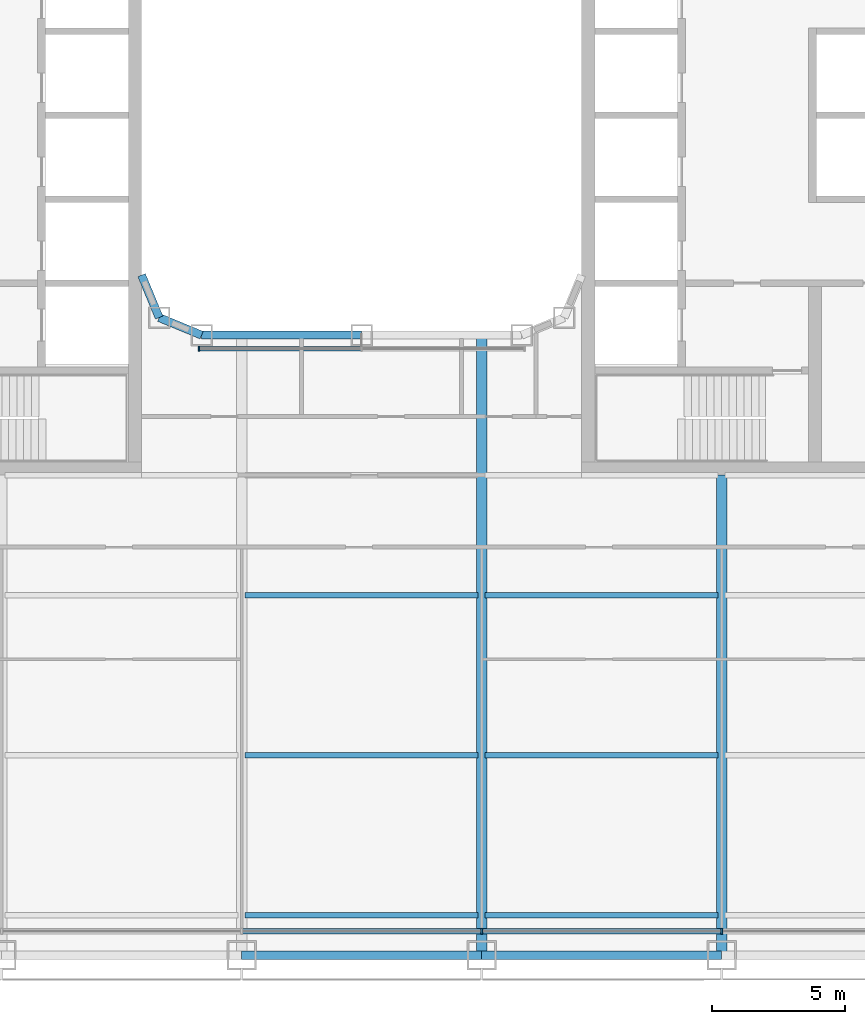
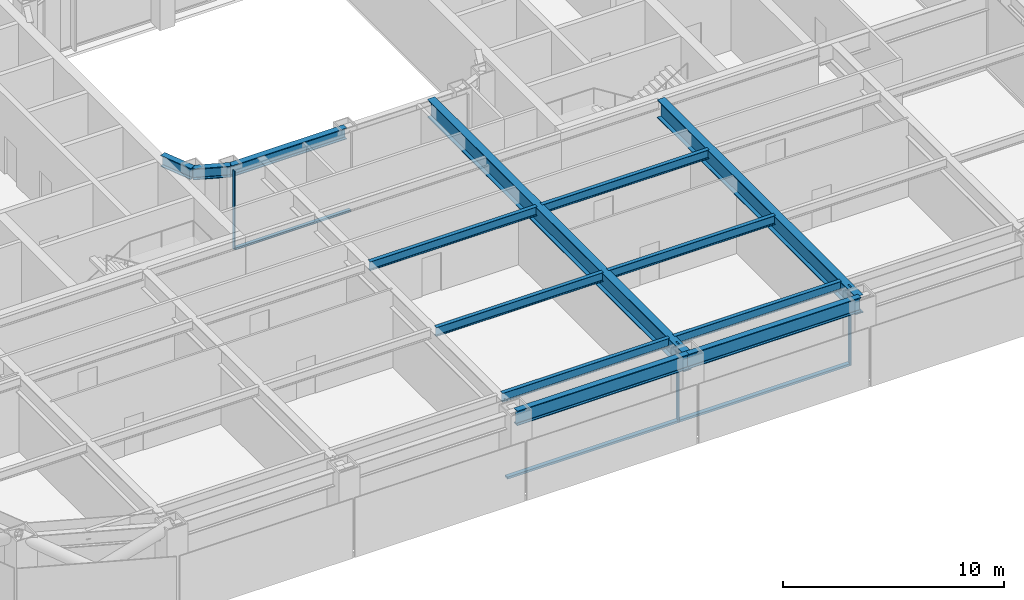
# One storey, part 3 of 28: 13 beams, 6 members, 2 elements without a shape of their own.
"""IFC4 building model written with IfcOpenShell, lengths in metres."""

from ifc_helpers import new_model, si_unit, direction, frame, origin, origin_2d, place, context, subcontext, project, spatial, rectangle, i_section, extrude, material, layer, layer_set, material_profile, profile_set, type_object, element, aggregate, save


model = new_model("IFC4")

# Units and contexts
model_context = context("Model", 3, precision=1e-05, world=origin(), true_north=direction((0.0, 1.0)))
body_context = subcontext(model_context, "Body", "Model", "MODEL_VIEW")
ifc_project = project(units=[si_unit("LENGTHUNIT", "METRE"), si_unit("AREAUNIT", "SQUARE_METRE"), si_unit("VOLUMEUNIT", "CUBIC_METRE"), si_unit("PLANEANGLEUNIT", "RADIAN"), si_unit("MASSUNIT", "GRAM", prefix="KILO")], contexts=[model_context])

# Site, building, storey
site_placement = place(None, origin())
site = spatial("IfcSite", under=ifc_project, at=site_placement, CompositionType="ELEMENT")
building_placement = place(site_placement, origin())
building = spatial("IfcBuilding", under=site, at=building_placement, Name="Siwar Civic Tower", CompositionType="ELEMENT")
storey_placement = place(building_placement, frame((0.0, 0.0, 31.199951171875)))
storey = spatial("IfcBuildingStorey", under=building, at=storey_placement, Name="L06", CompositionType="ELEMENT", Elevation=31.199951171875)

# Curtain wall, members
ifc_material_1 = material(Name="Aluminium and glass", Category="aluminium")
ifc_layer_1 = layer(ifc_material_1, 0.219970703125)
ifc_layer_set_1 = layer_set([ifc_layer_1], Name="Aluminium and glass")
curtain_wall_type_1 = type_object("IfcCurtainWallType", Name="ENV-CW-A", PredefinedType="NOTDEFINED", material=ifc_layer_set_1)
curtain_wall_1_placement = place(storey_placement, origin())
curtain_wall_1 = element("IfcCurtainWall", 1, at=curtain_wall_1_placement, inside=storey, type_object=curtain_wall_type_1, Name="Curtain wall A S", PredefinedType="NOTDEFINED")
ifc_material_2 = material(Name="Aluminium 6063-T6", Category="aluminium")
ifc_material_profile_1 = material_profile(ifc_material_2, rectangle(XDim=0.219970703125, YDim=0.070068359375, at=origin_2d()), Name="AL 220x70")
ifc_profile_set_1 = profile_set([ifc_material_profile_1], Name="Aluminium 6063-T6")
member_type_1 = type_object("IfcMemberType", Name="ENV-MULLION-A", PredefinedType="MULLION", material=ifc_profile_set_1)
member_1_placement = place(storey_placement, frame((4.5, -30.60009765625, 0.0), z_axis=(0.0, 0.0, 1.0), x_axis=(0.0, 1.0, 0.0)))
member_1 = element("IfcMember", 2, at=member_1_placement, type_object=member_type_1, Name="Mullion A S 4", PredefinedType="MULLION", context=body_context, shape_type="SweptSolid", body=[
    extrude(rectangle(XDim=0.219970703125, YDim=0.070068359375, at=origin_2d()), origin(), (0.0, 0.0, 1.0), 4.35009765625),
])
member_2_placement = place(storey_placement, frame((13.5, -30.60009765625, 0.0), z_axis=(0.0, 0.0, 1.0), x_axis=(0.0, 1.0, 0.0)))
member_2 = element("IfcMember", 3, at=member_2_placement, type_object=member_type_1, Name="Mullion A S 5", PredefinedType="MULLION", context=body_context, shape_type="SweptSolid", body=[
    extrude(rectangle(XDim=0.219970703125, YDim=0.070068359375, at=origin_2d()), origin(), (0.0, 0.0, 1.0), 4.35009765625),
])

# Curtain wall, member
ifc_material_3 = material(Name="Aluminium and glass", Category="aluminium")
ifc_layer_2 = layer(ifc_material_3, 0.179931640625)
ifc_layer_set_2 = layer_set([ifc_layer_2], Name="Aluminium and glass")
curtain_wall_type_2 = type_object("IfcCurtainWallType", Name="ENV-CW-W", PredefinedType="NOTDEFINED", material=ifc_layer_set_2)
curtain_wall_2_placement = place(storey_placement, origin())
curtain_wall_2 = element("IfcCurtainWall", 4, at=curtain_wall_2_placement, inside=storey, type_object=curtain_wall_type_2, Name="Curtain wall W WS", PredefinedType="NOTDEFINED")
ifc_material_4 = material(Name="Aluminium 6063-T6", Category="aluminium")
ifc_material_profile_2 = material_profile(ifc_material_4, rectangle(XDim=0.179931640625, YDim=0.06005859375, at=origin_2d()), Name="AL 180x60")
ifc_profile_set_2 = profile_set([ifc_material_profile_2], Name="Aluminium 6063-T6")
member_type_2 = type_object("IfcMemberType", Name="ENV-MULLION-W", PredefinedType="MULLION", material=ifc_profile_set_2)
member_3_placement = place(storey_placement, frame((-6.1015625, -8.760009765625, 0.0), z_axis=(0.0, 0.0, 1.0), x_axis=(0.0, 1.0, 0.0)))
member_3 = element("IfcMember", 5, at=member_3_placement, type_object=member_type_2, Name="Mullion W WS 1", PredefinedType="MULLION", context=body_context, shape_type="SweptSolid", body=[
    extrude(rectangle(XDim=0.179931640625, YDim=0.06005859375, at=origin_2d()), origin(), (0.0, 0.0, 1.0), 4.35009765625),
])

# Member
ifc_material_5 = material(Name="Aluminium 6063-T6", Category="aluminium")
ifc_material_profile_3 = material_profile(ifc_material_5, rectangle(XDim=0.219970703125, YDim=0.1201171875, at=origin_2d()), Name="AL 220x120")
ifc_profile_set_3 = profile_set([ifc_material_profile_3], Name="Aluminium 6063-T6")
member_type_3 = type_object("IfcMemberType", Name="ENV-TRANSOM-A", PredefinedType="USERDEFINED", material=ifc_profile_set_3)
member_4_placement = place(storey_placement, frame((-4.465087890625, -30.60009765625, 0.06005859375), z_axis=(1.0, 0.0, 0.0), x_axis=(0.0, 1.0, 0.0)))
member_4 = element("IfcMember", 6, at=member_4_placement, type_object=member_type_3, Name="Transom A S 3", ObjectType="TRANSOM", PredefinedType="USERDEFINED", context=body_context, shape_type="SweptSolid", body=[
    extrude(rectangle(XDim=0.219970703125, YDim=0.1201171875, at=origin_2d()), origin(), (0.0, 0.0, 1.0), 8.93017578125),
])

member_5_placement = place(storey_placement, frame((4.534912109375, -30.60009765625, 0.06005859375), z_axis=(1.0, 0.0, 0.0), x_axis=(0.0, 1.0, 0.0)))
member_5 = element("IfcMember", 7, at=member_5_placement, type_object=member_type_3, Name="Transom A S 4", ObjectType="TRANSOM", PredefinedType="USERDEFINED", context=body_context, shape_type="SweptSolid", body=[
    extrude(rectangle(XDim=0.219970703125, YDim=0.1201171875, at=origin_2d()), origin(), (0.0, 0.0, 1.0), 8.93017578125),
])

aggregate(curtain_wall_1, [member_1, member_2, member_4, member_5])

ifc_material_6 = material(Name="Aluminium 6063-T6", Category="aluminium")
ifc_material_profile_4 = material_profile(ifc_material_6, rectangle(XDim=0.179931640625, YDim=0.10009765625, at=origin_2d()), Name="AL 180x100")
ifc_profile_set_4 = profile_set([ifc_material_profile_4], Name="Aluminium 6063-T6")
member_type_4 = type_object("IfcMemberType", Name="ENV-TRANSOM-W", PredefinedType="USERDEFINED", material=ifc_profile_set_4)
member_6_placement = place(storey_placement, frame((-6.071533203125, -8.760009765625, 0.050048828125), z_axis=(1.0, 0.0, 0.0), x_axis=(0.0, 1.0, 0.0)))
member_6 = element("IfcMember", 8, at=member_6_placement, type_object=member_type_4, Name="Transom W WS 1", ObjectType="TRANSOM", PredefinedType="USERDEFINED", context=body_context, shape_type="SweptSolid", body=[
    extrude(rectangle(XDim=0.179931640625, YDim=0.10009765625, at=origin_2d()), origin(), (0.0, 0.0, 1.0), 6.04150390625),
])

aggregate(curtain_wall_2, [member_3, member_6])

# Beams
ifc_material_7 = material(Name="Steel S355", Category="steel")
ifc_material_profile_5 = material_profile(ifc_material_7, i_section(OverallWidth=0.199951171875, OverallDepth=0.5, WebThickness=0.01025390625, FlangeThickness=0.01611328125, FilletRadius=0.02099609375, at=origin_2d()), Name="IPE500")
ifc_profile_set_5 = profile_set([ifc_material_profile_5], Name="Steel S355")
beam_type_1 = type_object("IfcBeamType", Name="STR-FB-IPE500", PredefinedType="JOIST", material=ifc_profile_set_5)
for number, where, z_axis, x_axis, name in (
    (9, (-4.3701171875, -30.0, 4.10009765625), (1.0, 0.0, 0.0), (0.0, 1.0, 0.0), "L06/bm/F004"),
    (10, (4.6298828125, -30.0, 4.10009765625), (1.0, 0.0, 0.0), (0.0, 1.0, 0.0), "L06/bm/F005"),
    (11, (-4.3701171875, -24.0, 4.10009765625), (1.0, 0.0, 0.0), (0.0, 1.0, 0.0), "L06/bm/F011"),
    (12, (4.6298828125, -24.0, 4.10009765625), (1.0, 0.0, 0.0), (0.0, 1.0, 0.0), "L06/bm/F012"),
    (13, (-4.3701171875, -18.0, 4.10009765625), (1.0, 0.0, 0.0), (0.0, 1.0, 0.0), "L06/bm/F018"),
    (14, (4.6298828125, -18.0, 4.10009765625), (1.0, 0.0, 0.0), (0.0, 1.0, 0.0), "L06/bm/F019"),
):
    element("IfcBeam", number, at=place(storey_placement, frame(where, z_axis=z_axis, x_axis=x_axis)), inside=storey, type_object=beam_type_1, Name=name, PredefinedType="JOIST", context=body_context, shape_type="SweptSolid", body=[
        extrude(i_section(OverallWidth=0.199951171875, OverallDepth=0.5, WebThickness=0.01025390625, FlangeThickness=0.01611328125, FilletRadius=0.02099609375, at=origin_2d()), origin(), (0.0, 0.0, 1.0), 8.740234375),
    ])
ifc_material_8 = material(Name="Steel S355", Category="steel")
ifc_material_profile_6 = material_profile(ifc_material_8, i_section(OverallWidth=0.39990234375, OverallDepth=1.0, WebThickness=0.01611328125, FlangeThickness=0.0400390625, at=origin_2d()), Name="PG1000x400x16x40")
ifc_profile_set_6 = profile_set([ifc_material_profile_6], Name="Steel S355")
beam_type_2 = type_object("IfcBeamType", Name="STR-PG-PG1000x400x16x40", PredefinedType="BEAM", material=ifc_profile_set_6)
beam_1_placement = place(storey_placement, frame((4.5, -31.5, 3.85009765625), z_axis=(0.0, 1.0, 0.0), x_axis=(-1.0, 0.0, 0.0)))
element("IfcBeam", 15, at=beam_1_placement, inside=storey, type_object=beam_type_2, Name="L06/bm/G07", PredefinedType="BEAM", context=body_context, shape_type="SweptSolid", body=[
    extrude(i_section(OverallWidth=0.39990234375, OverallDepth=1.0, WebThickness=0.01611328125, FlangeThickness=0.0400390625, at=origin_2d()), origin(), (0.0, 0.0, 1.0), 23.25),
])
beam_2_placement = place(storey_placement, frame((13.5, -31.5, 3.85009765625), z_axis=(0.0, 1.0, 0.0), x_axis=(-1.0, 0.0, 0.0)))
element("IfcBeam", 16, at=beam_2_placement, inside=storey, type_object=beam_type_2, Name="L06/bm/G09", PredefinedType="BEAM", context=body_context, shape_type="SweptSolid", body=[
    extrude(i_section(OverallWidth=0.39990234375, OverallDepth=1.0, WebThickness=0.01611328125, FlangeThickness=0.0400390625, at=origin_2d()), origin(), (0.0, 0.0, 1.0), 18.0),
])
ifc_material_9 = material(Name="Steel S355", Category="steel")
ifc_material_profile_7 = material_profile(ifc_material_9, i_section(OverallWidth=0.304931640625, OverallDepth=0.6201171875, WebThickness=0.02099609375, FlangeThickness=0.0400390625, FilletRadius=0.027099609375, at=origin_2d()), Name="HEM600")
ifc_profile_set_7 = profile_set([ifc_material_profile_7], Name="Steel S355")
beam_type_3 = type_object("IfcBeamType", Name="STR-RB-HEM600", PredefinedType="BEAM", material=ifc_profile_set_7)
beam_3_placement = place(storey_placement, frame((-7.591064453125, -7.591064453125, 4.0400390625), z_axis=(0.923901072997, -0.382631424892, 0.0), x_axis=(0.382631424892, 0.923901072997, 0.0)))
element("IfcBeam", 17, at=beam_3_placement, inside=storey, type_object=beam_type_3, Name="L06/bm/RS0", PredefinedType="BEAM", context=body_context, shape_type="SweptSolid", body=[
    extrude(i_section(OverallWidth=0.304931640625, OverallDepth=0.6201171875, WebThickness=0.02099609375, FlangeThickness=0.0400390625, FilletRadius=0.027099609375, at=origin_2d()), origin(), (0.0, 0.0, 1.0), 1.72216796875),
])
beam_4_placement = place(storey_placement, frame((-6.0, -8.25, 4.0400390625), z_axis=(1.0, 0.0, 0.0), x_axis=(0.0, 1.0, 0.0)))
element("IfcBeam", 18, at=beam_4_placement, inside=storey, type_object=beam_type_3, Name="L06/bm/RS1", PredefinedType="BEAM", context=body_context, shape_type="SweptSolid", body=[
    extrude(i_section(OverallWidth=0.304931640625, OverallDepth=0.6201171875, WebThickness=0.02099609375, FlangeThickness=0.0400390625, FilletRadius=0.027099609375, at=origin_2d()), origin(), (0.0, 0.0, 1.0), 6.0),
])
beam_5_placement = place(storey_placement, frame((-7.591064453125, -7.591064453125, 4.0400390625), z_axis=(-0.382631424892, 0.923901072997, 0.0), x_axis=(-0.923901072997, -0.382631424892, 0.0)))
element("IfcBeam", 19, at=beam_5_placement, inside=storey, type_object=beam_type_3, Name="L06/bm/RSEW", PredefinedType="BEAM", context=body_context, shape_type="SweptSolid", body=[
    extrude(i_section(OverallWidth=0.304931640625, OverallDepth=0.6201171875, WebThickness=0.02099609375, FlangeThickness=0.0400390625, FilletRadius=0.027099609375, at=origin_2d()), origin(), (0.0, 0.0, 1.0), 1.72216796875),
])
ifc_material_10 = material(Name="Steel S355", Category="steel")
ifc_material_profile_8 = material_profile(ifc_material_10, i_section(OverallWidth=0.302978515625, OverallDepth=0.81396484375, WebThickness=0.02099609375, FlangeThickness=0.0400390625, FilletRadius=0.030029296875, at=origin_2d()), Name="HEM800")
ifc_profile_set_8 = profile_set([ifc_material_profile_8], Name="Steel S355")
beam_type_4 = type_object("IfcBeamType", Name="STR-SB-HEM800", PredefinedType="BEAM", material=ifc_profile_set_8)
for number, where, z_axis, x_axis, name in (
    (20, (-4.5, -31.5, 3.943115234375), (1.0, 0.0, 0.0), (0.0, 1.0, 0.0), "L06/bm/SS-2"),
    (21, (4.5, -31.5, 3.943115234375), (1.0, 0.0, 0.0), (0.0, 1.0, 0.0), "L06/bm/SS-3"),
):
    element("IfcBeam", number, at=place(storey_placement, frame(where, z_axis=z_axis, x_axis=x_axis)), inside=storey, type_object=beam_type_4, Name=name, PredefinedType="BEAM", context=body_context, shape_type="SweptSolid", body=[
        extrude(i_section(OverallWidth=0.302978515625, OverallDepth=0.81396484375, WebThickness=0.02099609375, FlangeThickness=0.0400390625, FilletRadius=0.030029296875, at=origin_2d()), origin(), (0.0, 0.0, 1.0), 9.0),
    ])

save(model, "model.ifc")
